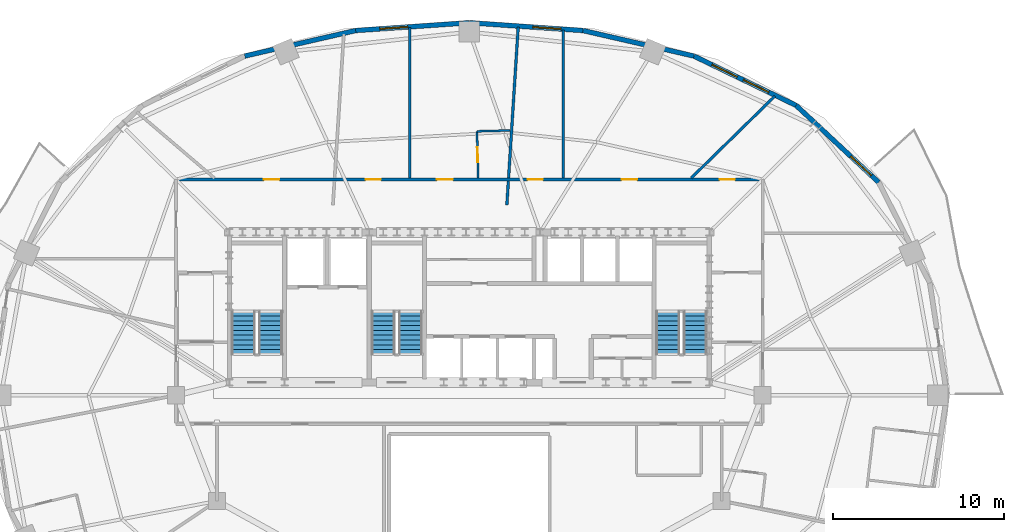
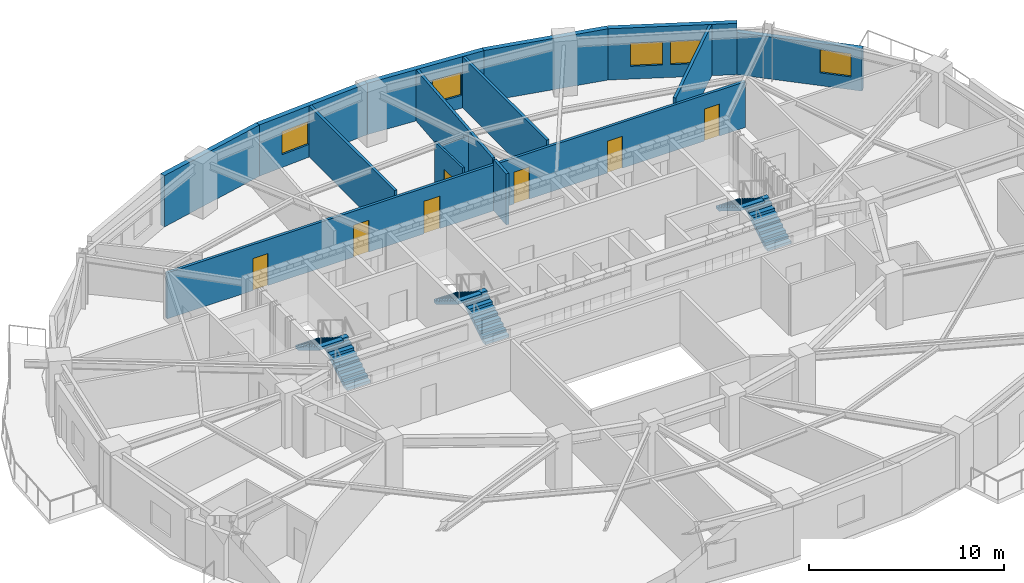
# One storey, part 7 of 10: 14 walls, 7 doors, 6 stair flights, 5 windows, 12 openings, 3 elements without a shape of their own.
"""IFC4 building model written with IfcOpenShell, lengths in metres."""

from ifc_helpers import new_model, si_unit, direction, frame, frame_2d, origin, place, context, subcontext, project, spatial, polyline, rectangle, outline, extrude, material, layer, layer_set, type_object, element, fill, aggregate, save


model = new_model("IFC4")

# Units and contexts
model_context = context("Model", 3, precision=1e-05, world=origin(), true_north=direction((0.0, 1.0)))
body_context = subcontext(model_context, "Body", "Model", "MODEL_VIEW")
ifc_project = project(units=[si_unit("LENGTHUNIT", "METRE"), si_unit("AREAUNIT", "SQUARE_METRE"), si_unit("VOLUMEUNIT", "CUBIC_METRE"), si_unit("PLANEANGLEUNIT", "RADIAN"), si_unit("MASSUNIT", "GRAM", prefix="KILO")], contexts=[model_context])

# Site, building, storey
site_placement = place(None, origin())
site = spatial("IfcSite", under=ifc_project, at=site_placement, CompositionType="ELEMENT")
building_placement = place(site_placement, origin())
building = spatial("IfcBuilding", under=site, at=building_placement, Name="Haldorwick Loom Tower", CompositionType="ELEMENT")
storey_placement = place(building_placement, frame((0.0, 0.0, 193.449951171875)))
storey = spatial("IfcBuildingStorey", under=building, at=storey_placement, Name="L52", CompositionType="ELEMENT", Elevation=193.449951171875)

# Wall, opening, window
ifc_material_1 = material(Name="Pressed Clay Face Brick and Insulated Masonry Backup Assembly", Category="masonry")
ifc_layer_1 = layer(ifc_material_1, 0.280029296875, Name="Pressed Clay Face Brick and Insulated Masonry Backup Assembly", Category="masonry")
ifc_layer_set_1 = layer_set([ifc_layer_1], Name="Pressed Clay Face Brick and Insulated Masonry Backup Assembly")
wall_type_1 = type_object("IfcWallType", Name="ARC-WL-EXT280", PredefinedType="STANDARD", material=ifc_layer_set_1)
wall_1_placement = place(storey_placement, frame((60.005615234375, 38.4853515625, 0.0), z_axis=(0.0, 0.0, 1.0), x_axis=(-0.731833707499, 0.681483253329, 0.0)))
wall_1 = element("IfcWall", 1, at=wall_1_placement, inside=storey, type_object=wall_type_1, Name="L52 Brick Pier and Spandrel Wall 3", PredefinedType="STANDARD", context=body_context, shape_type="SweptSolid", body=[
    extrude(rectangle(XDim=6.61865234375, YDim=0.280029296875, at=frame_2d((3.309326171875, 0.0))), origin(), (0.0, 0.0, 1.0), 2.64111328125),
])
opening_1_placement = place(wall_1_placement, frame((0.58154296875, 0.0, 0.800048828125)))
opening_1 = element("IfcOpeningElement", 2, at=opening_1_placement, cuts=wall_1, Name="Opening W-01B", PredefinedType="OPENING", context=body_context, shape_type="SweptSolid", body=[
    extrude(rectangle(XDim=1.64990234375, YDim=1.449951171875, at=frame_2d((0.824951171875, 0.72509765625))), frame((0.0, 0.14990234375, 0.0), z_axis=(0.0, -1.0, 0.0), x_axis=(1.0, 0.0, 0.0)), (0.0, 0.0, 1.0), 0.300048828125),
])
ifc_material_2 = material(Name="Triple-Glazed Low-E Argon Insulated Glazing Unit", Category="glass")
window_type = type_object("IfcWindowType", Name="ARC-WIN-W165", PartitioningType="SINGLE_PANEL", PredefinedType="WINDOW", material=ifc_material_2)
window_1_placement = place(opening_1_placement, origin())
window_1 = element("IfcWindow", 3, at=window_1_placement, inside=storey, type_object=window_type, Name="L52 Deep-Set Zone 7A Window 3", OverallHeight=1.449951171875, OverallWidth=1.64990234375, PartitioningType="SINGLE_PANEL", PredefinedType="WINDOW", context=body_context, shape_type="SweptSolid", body=[
    extrude(rectangle(XDim=1.64990234375, YDim=1.449951171875, at=frame_2d((0.824951171875, 0.72509765625))), frame((0.0, 0.030029296875, 0.0), z_axis=(0.0, -1.0, 0.0), x_axis=(1.0, 0.0, 0.0)), (0.0, 0.0, 1.0), 0.06005859375),
])
fill(opening_1, window_1)

# Wall, openings, windows
wall_2_placement = place(storey_placement, frame((55.161865234375, 42.995849609375, 0.0), z_axis=(0.0, 0.0, 1.0), x_axis=(-0.900371236029, 0.435122554381, 0.0)))
wall_2 = element("IfcWall", 4, at=wall_2_placement, inside=storey, type_object=wall_type_1, Name="L52 Brick Pier and Spandrel Wall 4", PredefinedType="STANDARD", context=body_context, shape_type="SweptSolid", body=[
    extrude(rectangle(XDim=6.6533203125, YDim=0.280029296875, at=frame_2d((3.32666015625, 0.0))), origin(), (0.0, 0.0, 1.0), 3.2099609375),
])
opening_2_placement = place(wall_2_placement, frame((1.781005859375, 0.0, 0.800048828125)))
opening_2 = element("IfcOpeningElement", 5, at=opening_2_placement, cuts=wall_2, Name="Opening W-01B", PredefinedType="OPENING", context=body_context, shape_type="SweptSolid", body=[
    extrude(rectangle(XDim=1.64990234375, YDim=1.449951171875, at=frame_2d((0.824951171875, 0.72509765625))), frame((0.0, 0.14990234375, 0.0), z_axis=(0.0, -1.0, 0.0), x_axis=(1.0, 0.0, 0.0)), (0.0, 0.0, 1.0), 0.300048828125),
])
opening_3_placement = place(wall_2_placement, frame((3.832275390625, 0.0, 0.800048828125)))
opening_3 = element("IfcOpeningElement", 6, at=opening_3_placement, cuts=wall_2, Name="Opening W-01B", PredefinedType="OPENING", context=body_context, shape_type="SweptSolid", body=[
    extrude(rectangle(XDim=1.64990234375, YDim=1.449951171875, at=frame_2d((0.824951171875, 0.72509765625))), frame((0.0, 0.14990234375, 0.0), z_axis=(0.0, -1.0, 0.0), x_axis=(1.0, 0.0, 0.0)), (0.0, 0.0, 1.0), 0.300048828125),
])
window_2_placement = place(opening_2_placement, origin())
window_2 = element("IfcWindow", 7, at=window_2_placement, inside=storey, type_object=window_type, Name="L52 Deep-Set Zone 7A Window 4", OverallHeight=1.449951171875, OverallWidth=1.64990234375, PartitioningType="SINGLE_PANEL", PredefinedType="WINDOW", context=body_context, shape_type="SweptSolid", body=[
    extrude(rectangle(XDim=1.64990234375, YDim=1.449951171875, at=frame_2d((0.824951171875, 0.72509765625))), frame((0.0, 0.030029296875, 0.0), z_axis=(0.0, -1.0, 0.0), x_axis=(1.0, 0.0, 0.0)), (0.0, 0.0, 1.0), 0.06005859375),
])
fill(opening_2, window_2)
window_3_placement = place(opening_3_placement, origin())
window_3 = element("IfcWindow", 8, at=window_3_placement, inside=storey, type_object=window_type, Name="L52 Deep-Set Zone 7A Window 4", OverallHeight=1.449951171875, OverallWidth=1.64990234375, PartitioningType="SINGLE_PANEL", PredefinedType="WINDOW", context=body_context, shape_type="SweptSolid", body=[
    extrude(rectangle(XDim=1.64990234375, YDim=1.449951171875, at=frame_2d((0.824951171875, 0.72509765625))), frame((0.0, 0.030029296875, 0.0), z_axis=(0.0, -1.0, 0.0), x_axis=(1.0, 0.0, 0.0)), (0.0, 0.0, 1.0), 0.06005859375),
])
fill(opening_3, window_3)

# Wall
wall_3_placement = place(storey_placement, frame((49.17138671875, 45.890869140625, 0.0), z_axis=(0.0, 0.0, 1.0), x_axis=(-0.974557343474, 0.224138315065, 0.0)))
element("IfcWall", 9, at=wall_3_placement, inside=storey, type_object=wall_type_1, Name="L52 Brick Pier and Spandrel Wall 5", PredefinedType="STANDARD", context=body_context, shape_type="SweptSolid", body=[
    extrude(rectangle(XDim=6.676025390625, YDim=0.280029296875, at=frame_2d((3.337890625, 0.0))), origin(), (0.0, 0.0, 1.0), 3.2099609375),
])

# Wall, opening, window
wall_4_placement = place(storey_placement, frame((42.665283203125, 47.38720703125, 0.0), z_axis=(0.0, 0.0, 1.0), x_axis=(-0.99764992135, 0.068517402386, 0.0)))
wall_4 = element("IfcWall", 10, at=wall_4_placement, inside=storey, type_object=wall_type_1, Name="L52 Brick Pier and Spandrel Wall 6", PredefinedType="STANDARD", context=body_context, shape_type="SweptSolid", body=[
    extrude(rectangle(XDim=6.680908203125, YDim=0.280029296875, at=frame_2d((3.34033203125, 0.0))), origin(), (0.0, 0.0, 1.0), 3.2099609375),
])
opening_4_placement = place(wall_4_placement, frame((1.293701171875, 0.0, 0.800048828125)))
opening_4 = element("IfcOpeningElement", 11, at=opening_4_placement, cuts=wall_4, Name="Opening W-01B", PredefinedType="OPENING", context=body_context, shape_type="SweptSolid", body=[
    extrude(rectangle(XDim=1.64990234375, YDim=1.449951171875, at=frame_2d((0.824951171875, 0.72509765625))), frame((0.0, 0.14990234375, 0.0), z_axis=(0.0, -1.0, 0.0), x_axis=(1.0, 0.0, 0.0)), (0.0, 0.0, 1.0), 0.300048828125),
])
window_4_placement = place(opening_4_placement, origin())
window_4 = element("IfcWindow", 12, at=window_4_placement, inside=storey, type_object=window_type, Name="L52 Deep-Set Zone 7A Window 6", OverallHeight=1.449951171875, OverallWidth=1.64990234375, PartitioningType="SINGLE_PANEL", PredefinedType="WINDOW", context=body_context, shape_type="SweptSolid", body=[
    extrude(rectangle(XDim=1.64990234375, YDim=1.449951171875, at=frame_2d((0.824951171875, 0.72509765625))), frame((0.0, 0.030029296875, 0.0), z_axis=(0.0, -1.0, 0.0), x_axis=(1.0, 0.0, 0.0)), (0.0, 0.0, 1.0), 0.06005859375),
])
fill(opening_4, window_4)

wall_5_placement = place(storey_placement, frame((36.0, 47.844970703125, 0.0), z_axis=(0.0, 0.0, 1.0), x_axis=(-0.99764992135, -0.068517402386, 0.0)))
wall_5 = element("IfcWall", 13, at=wall_5_placement, inside=storey, type_object=wall_type_1, Name="L52 Brick Pier and Spandrel Wall 7", PredefinedType="STANDARD", context=body_context, shape_type="SweptSolid", body=[
    extrude(rectangle(XDim=6.680908203125, YDim=0.280029296875, at=frame_2d((3.34033203125, 0.0))), origin(), (0.0, 0.0, 1.0), 3.2099609375),
])
opening_5_placement = place(wall_5_placement, frame((3.6181640625, 0.0, 0.800048828125)))
opening_5 = element("IfcOpeningElement", 14, at=opening_5_placement, cuts=wall_5, Name="Opening W-01B", PredefinedType="OPENING", context=body_context, shape_type="SweptSolid", body=[
    extrude(rectangle(XDim=1.64990234375, YDim=1.449951171875, at=frame_2d((0.824951171875, 0.72509765625))), frame((0.0, 0.14990234375, 0.0), z_axis=(0.0, -1.0, 0.0), x_axis=(1.0, 0.0, 0.0)), (0.0, 0.0, 1.0), 0.300048828125),
])
window_5_placement = place(opening_5_placement, origin())
window_5 = element("IfcWindow", 15, at=window_5_placement, inside=storey, type_object=window_type, Name="L52 Deep-Set Zone 7A Window 7", OverallHeight=1.449951171875, OverallWidth=1.64990234375, PartitioningType="SINGLE_PANEL", PredefinedType="WINDOW", context=body_context, shape_type="SweptSolid", body=[
    extrude(rectangle(XDim=1.64990234375, YDim=1.449951171875, at=frame_2d((0.824951171875, 0.72509765625))), frame((0.0, 0.030029296875, 0.0), z_axis=(0.0, -1.0, 0.0), x_axis=(1.0, 0.0, 0.0)), (0.0, 0.0, 1.0), 0.06005859375),
])
fill(opening_5, window_5)

# Wall
wall_6_placement = place(storey_placement, frame((29.334716796875, 47.38720703125, 0.0), z_axis=(0.0, 0.0, 1.0), x_axis=(-0.974557343474, -0.224138315065, 0.0)))
element("IfcWall", 16, at=wall_6_placement, inside=storey, type_object=wall_type_1, Name="L52 Brick Pier and Spandrel Wall 8", PredefinedType="STANDARD", context=body_context, shape_type="SweptSolid", body=[
    extrude(rectangle(XDim=6.676025390625, YDim=0.280029296875, at=frame_2d((3.337890625, 0.0))), origin(), (0.0, 0.0, 1.0), 3.2099609375),
])

# Wall, openings, doors
ifc_material_3 = material(Name="Fire-Rated Type X Gypsum Stud Assembly EI 60")
ifc_layer_2 = layer(ifc_material_3, 0.159912109375, Name="Fire-Rated Type X Gypsum Stud Assembly EI 60")
ifc_layer_set_2 = layer_set([ifc_layer_2], Name="Fire-Rated Type X Gypsum Stud Assembly EI 60")
wall_type_2 = type_object("IfcWallType", Name="ARC-WL-FIRE160", PredefinedType="PARTITIONING", material=ifc_layer_set_2)
wall_7_placement = place(storey_placement, frame((18.883056640625, 38.64990234375, 0.0), z_axis=(0.0, 0.0, 1.0), x_axis=(1.0, 0.0, 0.0)))
wall_7 = element("IfcWall", 17, at=wall_7_placement, inside=storey, type_object=wall_type_2, Name="L52 Residential Fire Partition L52-CR-N0", PredefinedType="PARTITIONING", context=body_context, shape_type="SweptSolid", body=[
    extrude(rectangle(XDim=34.23388671875, YDim=0.159912109375, at=frame_2d((17.116943359375, 0.0))), origin(), (0.0, 0.0, 1.0), 2.8720703125),
])
opening_6_placement = place(wall_7_placement, frame((26.0537109375, 0.0, 0.0)))
opening_6 = element("IfcOpeningElement", 18, at=opening_6_placement, cuts=wall_7, Name="Opening D-FD60A", PredefinedType="OPENING", context=body_context, shape_type="SweptSolid", body=[
    extrude(rectangle(XDim=0.89990234375, YDim=2.0, at=frame_2d((0.449951171875, 1.0))), frame((0.0, 0.08984375, 0.0), z_axis=(0.0, -1.0, 0.0), x_axis=(1.0, 0.0, 0.0)), (0.0, 0.0, 1.0), 0.179931640625),
])
opening_7_placement = place(wall_7_placement, frame((5.071533203125, 0.0, 0.0)))
opening_7 = element("IfcOpeningElement", 19, at=opening_7_placement, cuts=wall_7, Name="Opening D-FD60A", PredefinedType="OPENING", context=body_context, shape_type="SweptSolid", body=[
    extrude(rectangle(XDim=0.89990234375, YDim=2.0, at=frame_2d((0.449951171875, 1.0))), frame((0.0, 0.08984375, 0.0), z_axis=(0.0, -1.0, 0.0), x_axis=(1.0, 0.0, 0.0)), (0.0, 0.0, 1.0), 0.179931640625),
])
opening_8_placement = place(wall_7_placement, frame((11.034912109375, 0.0, 0.0)))
opening_8 = element("IfcOpeningElement", 20, at=opening_8_placement, cuts=wall_7, Name="Opening D-FD60A", PredefinedType="OPENING", context=body_context, shape_type="SweptSolid", body=[
    extrude(rectangle(XDim=0.89990234375, YDim=2.0, at=frame_2d((0.449951171875, 1.0))), frame((0.0, 0.08984375, 0.0), z_axis=(0.0, -1.0, 0.0), x_axis=(1.0, 0.0, 0.0)), (0.0, 0.0, 1.0), 0.179931640625),
])
opening_9_placement = place(wall_7_placement, frame((15.206298828125, 0.0, 0.0)))
opening_9 = element("IfcOpeningElement", 21, at=opening_9_placement, cuts=wall_7, Name="Opening D-FL95", PredefinedType="OPENING", context=body_context, shape_type="SweptSolid", body=[
    extrude(rectangle(XDim=0.949951171875, YDim=2.0400390625, at=frame_2d((0.47509765625, 1.02001953125))), frame((0.0, 0.08984375, 0.0), z_axis=(0.0, -1.0, 0.0), x_axis=(1.0, 0.0, 0.0)), (0.0, 0.0, 1.0), 0.179931640625),
])
opening_10_placement = place(wall_7_placement, frame((31.796142578125, 0.0, 0.0)))
opening_10 = element("IfcOpeningElement", 22, at=opening_10_placement, cuts=wall_7, Name="Opening D-FD60A", PredefinedType="OPENING", context=body_context, shape_type="SweptSolid", body=[
    extrude(rectangle(XDim=0.89990234375, YDim=2.0, at=frame_2d((0.449951171875, 1.0))), frame((0.0, 0.08984375, 0.0), z_axis=(0.0, -1.0, 0.0), x_axis=(1.0, 0.0, 0.0)), (0.0, 0.0, 1.0), 0.179931640625),
])
opening_11_placement = place(wall_7_placement, frame((20.531982421875, 0.0, 0.0)))
opening_11 = element("IfcOpeningElement", 23, at=opening_11_placement, cuts=wall_7, Name="Opening D-FD60A", PredefinedType="OPENING", context=body_context, shape_type="SweptSolid", body=[
    extrude(rectangle(XDim=0.89990234375, YDim=2.0, at=frame_2d((0.449951171875, 1.0))), frame((0.0, 0.08984375, 0.0), z_axis=(0.0, -1.0, 0.0), x_axis=(1.0, 0.0, 0.0)), (0.0, 0.0, 1.0), 0.179931640625),
])
ifc_material_4 = material(Name="Hollow Steel Fire Door Assembly", Category="steel")
door_type_1 = type_object("IfcDoorType", Name="ARC-DR-FD60-90", OperationType="NOTDEFINED", PredefinedType="DOOR", material=ifc_material_4)
door_1_placement = place(opening_6_placement, frame((0.89990234375, 0.0, 0.0), z_axis=(0.0, 0.0, 1.0), x_axis=(-1.0, 0.0, 0.0)))
door_1 = element("IfcDoor", 24, at=door_1_placement, inside=storey, type_object=door_type_1, Name="L52 Community Teaching Classroom 7 to L52 North Residential Corridor Doo", OperationType="SINGLE_SWING_LEFT", OverallHeight=2.0, OverallWidth=0.89990234375, PredefinedType="DOOR", context=body_context, shape_type="SweptSolid", body=[
    extrude(rectangle(XDim=0.89990234375, YDim=2.0, at=frame_2d((0.449951171875, 1.0))), frame((0.0, 0.02490234375, 0.0), z_axis=(0.0, -1.0, 0.0), x_axis=(1.0, 0.0, 0.0)), (0.0, 0.0, 1.0), 0.050048828125),
])
fill(opening_6, door_1)
door_2_placement = place(opening_7_placement, frame((0.89990234375, 0.0, 0.0), z_axis=(0.0, 0.0, 1.0), x_axis=(-1.0, 0.0, 0.0)))
door_2 = element("IfcDoor", 25, at=door_2_placement, inside=storey, type_object=door_type_1, Name="L52 Community Teaching Classroom 5 to L52 North Residential Corridor Doo", OperationType="SINGLE_SWING_RIGHT", OverallHeight=2.0, OverallWidth=0.89990234375, PredefinedType="DOOR", context=body_context, shape_type="SweptSolid", body=[
    extrude(rectangle(XDim=0.89990234375, YDim=2.0, at=frame_2d((0.449951171875, 1.0))), frame((0.0, 0.02490234375, 0.0), z_axis=(0.0, -1.0, 0.0), x_axis=(1.0, 0.0, 0.0)), (0.0, 0.0, 1.0), 0.050048828125),
])
fill(opening_7, door_2)
door_3_placement = place(opening_8_placement, frame((0.89990234375, 0.0, 0.0), z_axis=(0.0, 0.0, 1.0), x_axis=(-1.0, 0.0, 0.0)))
door_3 = element("IfcDoor", 26, at=door_3_placement, inside=storey, type_object=door_type_1, Name="L52 Shared Tea Pantry 12 to L52 North Residential Corridor Door", OperationType="SINGLE_SWING_RIGHT", OverallHeight=2.0, OverallWidth=0.89990234375, PredefinedType="DOOR", context=body_context, shape_type="SweptSolid", body=[
    extrude(rectangle(XDim=0.89990234375, YDim=2.0, at=frame_2d((0.449951171875, 1.0))), frame((0.0, 0.02490234375, 0.0), z_axis=(0.0, -1.0, 0.0), x_axis=(1.0, 0.0, 0.0)), (0.0, 0.0, 1.0), 0.050048828125),
])
fill(opening_8, door_3)
door_4_placement = place(opening_10_placement, frame((0.89990234375, 0.0, 0.0), z_axis=(0.0, 0.0, 1.0), x_axis=(-1.0, 0.0, 0.0)))
door_4 = element("IfcDoor", 27, at=door_4_placement, inside=storey, type_object=door_type_1, Name="L52 Community Teaching Classroom 6 to L52 North Residential Corridor Doo", OperationType="SINGLE_SWING_RIGHT", OverallHeight=2.0, OverallWidth=0.89990234375, PredefinedType="DOOR", context=body_context, shape_type="SweptSolid", body=[
    extrude(rectangle(XDim=0.89990234375, YDim=2.0, at=frame_2d((0.449951171875, 1.0))), frame((0.0, 0.02490234375, 0.0), z_axis=(0.0, -1.0, 0.0), x_axis=(1.0, 0.0, 0.0)), (0.0, 0.0, 1.0), 0.050048828125),
])
fill(opening_10, door_4)
door_5_placement = place(opening_11_placement, frame((0.89990234375, 0.0, 0.0), z_axis=(0.0, 0.0, 1.0), x_axis=(-1.0, 0.0, 0.0)))
door_5 = element("IfcDoor", 28, at=door_5_placement, inside=storey, type_object=door_type_1, Name="L52 Remote Work Office 13 to L52 North Residential Corridor Door", OperationType="SINGLE_SWING_RIGHT", OverallHeight=2.0, OverallWidth=0.89990234375, PredefinedType="DOOR", context=body_context, shape_type="SweptSolid", body=[
    extrude(rectangle(XDim=0.89990234375, YDim=2.0, at=frame_2d((0.449951171875, 1.0))), frame((0.0, 0.02490234375, 0.0), z_axis=(0.0, -1.0, 0.0), x_axis=(1.0, 0.0, 0.0)), (0.0, 0.0, 1.0), 0.050048828125),
])
fill(opening_11, door_5)
ifc_material_5 = material(Name="Solid Core Birch Architectural Door")
door_type_2 = type_object("IfcDoorType", Name="ARC-DR-FLAT95", OperationType="NOTDEFINED", PredefinedType="DOOR", material=ifc_material_5)
door_6_placement = place(opening_9_placement, frame((0.949951171875, 0.0, 0.0), z_axis=(0.0, 0.0, 1.0), x_axis=(-1.0, 0.0, 0.0)))
door_6 = element("IfcDoor", 29, at=door_6_placement, inside=storey, type_object=door_type_2, Name="L52 Unit 52H Kitchen and Studio Living Room to L52 North Residential Cor", OperationType="SINGLE_SWING_LEFT", OverallHeight=2.0400390625, OverallWidth=0.949951171875, PredefinedType="DOOR", context=body_context, shape_type="SweptSolid", body=[
    extrude(rectangle(XDim=0.949951171875, YDim=2.0400390625, at=frame_2d((0.47509765625, 1.02001953125))), frame((0.0, 0.02490234375, 0.0), z_axis=(0.0, -1.0, 0.0), x_axis=(1.0, 0.0, 0.0)), (0.0, 0.0, 1.0), 0.050048828125),
])
fill(opening_9, door_6)

# Walls
wall_8_placement = place(storey_placement, frame((32.5, 38.73291015625, 0.0), z_axis=(0.0, 0.0, 1.0), x_axis=(0.0, 1.0, 0.0)))
element("IfcWall", 30, at=wall_8_placement, inside=storey, type_object=wall_type_2, Name="L52 Residential Fire Partition L52-NBP-0", PredefinedType="PARTITIONING", context=body_context, shape_type="SweptSolid", body=[
    extrude(rectangle(XDim=8.82666015625, YDim=0.159912109375, at=frame_2d((4.413330078125, 0.0))), origin(), (0.0, 0.0, 1.0), 3.195068359375),
])
wall_9_placement = place(storey_placement, frame((41.5, 38.73291015625, 0.0), z_axis=(0.0, 0.0, 1.0), x_axis=(0.0, 1.0, 0.0)))
element("IfcWall", 31, at=wall_9_placement, inside=storey, type_object=wall_type_2, Name="L52 Residential Fire Partition L52-NBP-1", PredefinedType="PARTITIONING", context=body_context, shape_type="SweptSolid", body=[
    extrude(rectangle(XDim=8.689208984375, YDim=0.159912109375, at=frame_2d((4.3447265625, 0.0))), origin(), (0.0, 0.0, 1.0), 3.195068359375),
])
wall_10_placement = place(storey_placement, frame((38.199951171875, 37.14990234375, 0.0), z_axis=(0.0, 0.0, 1.0), x_axis=(0.063619995276, 0.99797419616, 0.0)))
element("IfcWall", 32, at=wall_10_placement, inside=storey, type_object=wall_type_2, Name="L52 Residential Fire Partition L52-UPN-13", PredefinedType="PARTITIONING", context=body_context, shape_type="SweptSolid", body=[
    extrude(rectangle(XDim=1.419921875, YDim=0.159912109375, at=frame_2d((0.7099609375, 0.0))), origin(), (0.0, 0.0, 1.0), 3.195068359375),
])
wall_11_placement = place(storey_placement, frame((38.30078125, 38.73291015625, 0.0), z_axis=(0.0, 0.0, 1.0), x_axis=(0.063616337617, 0.997974429326, 0.0)))
element("IfcWall", 33, at=wall_11_placement, inside=storey, type_object=wall_type_2, Name="L52 Residential Fire Partition L52-UPN-13", PredefinedType="PARTITIONING", context=body_context, shape_type="SweptSolid", body=[
    extrude(rectangle(XDim=8.88818359375, YDim=0.159912109375, at=frame_2d((4.444091796875, 0.0))), origin(), (0.0, 0.0, 1.0), 3.195068359375),
])
wall_12_placement = place(storey_placement, frame((49.007080078125, 38.73291015625, 0.0), z_axis=(0.0, 0.0, 1.0), x_axis=(0.714590999757, 0.69954249554, 0.0)))
element("IfcWall", 34, at=wall_12_placement, inside=storey, type_object=wall_type_2, Name="L52 Suite Split Wall", PredefinedType="PARTITIONING", context=body_context, shape_type="SweptSolid", body=[
    extrude(rectangle(XDim=6.87890625, YDim=0.159912109375, at=frame_2d((3.439453125, 0.0))), origin(), (0.0, 0.0, 1.0), 3.195068359375),
])
ifc_material_6 = material(Name="Acoustic Gypsum Stud Assembly STC 55")
ifc_layer_3 = layer(ifc_material_6, 0.1201171875, Name="Acoustic Gypsum Stud Assembly STC 55")
ifc_layer_set_3 = layer_set([ifc_layer_3], Name="Acoustic Gypsum Stud Assembly STC 55")
wall_type_3 = type_object("IfcWallType", Name="ARC-WL-PART120", PredefinedType="PARTITIONING", material=ifc_layer_set_3)
wall_13_placement = place(storey_placement, frame((38.395751953125, 41.526611328125, 0.0), z_axis=(0.0, 0.0, 1.0), x_axis=(-0.999656690025, -0.026201184878, 0.0)))
element("IfcWall", 35, at=wall_13_placement, inside=storey, type_object=wall_type_3, Name="L52 Unit 52H Interior Partition", PredefinedType="PARTITIONING", context=body_context, shape_type="SweptSolid", body=[
    extrude(rectangle(XDim=1.947509765625, YDim=0.1201171875, at=frame_2d((0.9736328125, 0.0))), origin(), (0.0, 0.0, 1.0), 2.8720703125),
])

# Wall, opening, door
wall_14_placement = place(storey_placement, frame((36.520751953125, 38.73291015625, 0.0), z_axis=(0.0, 0.0, 1.0), x_axis=(-0.026161596199, 0.999657726867, 0.0)))
wall_14 = element("IfcWall", 36, at=wall_14_placement, inside=storey, type_object=wall_type_3, Name="L52 Unit 52H Interior Partition", PredefinedType="PARTITIONING", context=body_context, shape_type="SweptSolid", body=[
    extrude(rectangle(XDim=2.74365234375, YDim=0.1201171875, at=frame_2d((1.371826171875, 0.0))), origin(), (0.0, 0.0, 1.0), 3.195068359375),
])
opening_12_placement = place(wall_14_placement, frame((0.931884765625, 0.0, 0.0)))
opening_12 = element("IfcOpeningElement", 37, at=opening_12_placement, cuts=wall_14, Name="Opening D-BT88", PredefinedType="OPENING", context=body_context, shape_type="SweptSolid", body=[
    extrude(rectangle(XDim=0.8798828125, YDim=2.02001953125, at=frame_2d((0.43994140625, 1.010009765625))), frame((0.0, 0.070068359375, 0.0), z_axis=(0.0, -1.0, 0.0), x_axis=(1.0, 0.0, 0.0)), (0.0, 0.0, 1.0), 0.14013671875),
])
door_type_3 = type_object("IfcDoorType", Name="ARC-DR-BATH88", OperationType="NOTDEFINED", PredefinedType="DOOR", material=ifc_material_5)
door_7_placement = place(opening_12_placement, origin())
door_7 = element("IfcDoor", 38, at=door_7_placement, inside=storey, type_object=door_type_3, Name="L52 Unit 52H Kitchen and Studio Living Room to Unit 52H Bathroom Door", OperationType="SINGLE_SWING_RIGHT", OverallHeight=2.02001953125, OverallWidth=0.8798828125, PredefinedType="DOOR", context=body_context, shape_type="SweptSolid", body=[
    extrude(rectangle(XDim=0.8798828125, YDim=2.02001953125, at=frame_2d((0.43994140625, 1.010009765625))), frame((0.0, 0.02490234375, 0.0), z_axis=(0.0, -1.0, 0.0), x_axis=(1.0, 0.0, 0.0)), (0.0, 0.0, 1.0), 0.050048828125),
])
fill(opening_12, door_7)

# Stair, stair flights
ifc_material_7 = material(Name="Concrete C40 (40 MPa)", Category="concrete")
stair_type = type_object("IfcStairType", Name="STR-STR-CORE", PredefinedType="HALF_TURN_STAIR", material=ifc_material_7)
stair_1_placement = place(storey_placement, origin())
stair_1 = element("IfcStair", 39, at=stair_1_placement, inside=storey, type_object=stair_type, Name="L52 Exit Stair ST-01", PredefinedType="HALF_TURN_STAIR")
stair_flight_type = type_object("IfcStairFlightType", Name="STR-STF-1250", PredefinedType="STRAIGHT", material=ifc_material_7)
stair_flight_1_placement = place(storey_placement, frame((24.35009765625, 28.39990234375, 0.0), z_axis=(0.0, 0.0, 1.0), x_axis=(0.0, 1.0, 0.0)))
stair_flight_1 = element("IfcStairFlight", 40, at=stair_flight_1_placement, type_object=stair_flight_type, Name="ST-01 flight 1", NumberOfRisers=10, NumberOfTreads=9, PredefinedType="STRAIGHT", RiserHeight=0.1725, TreadLength=0.28, context=body_context, shape_type="SweptSolid", body=[
    extrude(outline(polyline([(0.0, 0.0), (0.0, 0.172607421875), (0.280029296875, 0.172607421875), (0.280029296875, 0.344970703125), (0.56005859375, 0.344970703125), (0.56005859375, 0.517578125), (0.840087890625, 0.517578125), (0.840087890625, 0.68994140625), (1.1201171875, 0.68994140625), (1.1201171875, 0.862548828125), (1.39990234375, 0.862548828125), (1.39990234375, 1.034912109375), (1.679931640625, 1.034912109375), (1.679931640625, 1.20751953125), (1.9599609375, 1.20751953125), (1.9599609375, 1.3798828125), (2.239990234375, 1.3798828125), (2.239990234375, 1.552490234375), (2.52001953125, 1.552490234375), (2.52001953125, 1.72509765625), (2.52001953125, 1.37646484375), (0.285888671875, 0.0), (0.0, 0.0)])), frame((0.0, 0.699951171875, 0.0), z_axis=(0.0, -1.0, 0.0), x_axis=(1.0, 0.0, 0.0)), (0.0, 0.0, 1.0), 1.39990234375),
])
stair_flight_2_placement = place(storey_placement, frame((22.75, 30.919921875, 1.72509765625), z_axis=(0.0, 0.0, 1.0), x_axis=(0.0, -1.0, 0.0)))
stair_flight_2 = element("IfcStairFlight", 41, at=stair_flight_2_placement, type_object=stair_flight_type, Name="ST-01 flight 2", NumberOfRisers=10, NumberOfTreads=9, PredefinedType="STRAIGHT", RiserHeight=0.1725, TreadLength=0.28, context=body_context, shape_type="SweptSolid", body=[
    extrude(outline(polyline([(0.0, 0.0), (0.0, 0.172607421875), (0.280029296875, 0.172607421875), (0.280029296875, 0.344970703125), (0.56005859375, 0.344970703125), (0.56005859375, 0.517578125), (0.840087890625, 0.517578125), (0.840087890625, 0.68994140625), (1.1201171875, 0.68994140625), (1.1201171875, 0.862548828125), (1.39990234375, 0.862548828125), (1.39990234375, 1.034912109375), (1.679931640625, 1.034912109375), (1.679931640625, 1.20751953125), (1.9599609375, 1.20751953125), (1.9599609375, 1.3798828125), (2.239990234375, 1.3798828125), (2.239990234375, 1.552490234375), (2.52001953125, 1.552490234375), (2.52001953125, 1.72509765625), (2.52001953125, 1.37646484375), (0.285888671875, 0.0), (0.0, 0.0)])), frame((0.0, 0.699951171875, 0.0), z_axis=(0.0, -1.0, 0.0), x_axis=(1.0, 0.0, 0.0)), (0.0, 0.0, 1.0), 1.39990234375),
])
aggregate(stair_1, [stair_flight_1, stair_flight_2])

stair_2_placement = place(storey_placement, origin())
stair_2 = element("IfcStair", 42, at=stair_2_placement, inside=storey, type_object=stair_type, Name="L52 Exit Stair ST-02", PredefinedType="HALF_TURN_STAIR")
stair_flight_3_placement = place(storey_placement, frame((49.25, 28.39990234375, 0.0), z_axis=(0.0, 0.0, 1.0), x_axis=(0.0, 1.0, 0.0)))
stair_flight_3 = element("IfcStairFlight", 43, at=stair_flight_3_placement, type_object=stair_flight_type, Name="ST-02 flight 1", NumberOfRisers=10, NumberOfTreads=9, PredefinedType="STRAIGHT", RiserHeight=0.1725, TreadLength=0.28, context=body_context, shape_type="SweptSolid", body=[
    extrude(outline(polyline([(0.0, 0.0), (0.0, 0.172607421875), (0.280029296875, 0.172607421875), (0.280029296875, 0.344970703125), (0.56005859375, 0.344970703125), (0.56005859375, 0.517578125), (0.840087890625, 0.517578125), (0.840087890625, 0.68994140625), (1.1201171875, 0.68994140625), (1.1201171875, 0.862548828125), (1.39990234375, 0.862548828125), (1.39990234375, 1.034912109375), (1.679931640625, 1.034912109375), (1.679931640625, 1.20751953125), (1.9599609375, 1.20751953125), (1.9599609375, 1.3798828125), (2.239990234375, 1.3798828125), (2.239990234375, 1.552490234375), (2.52001953125, 1.552490234375), (2.52001953125, 1.72509765625), (2.52001953125, 1.37646484375), (0.285888671875, 0.0), (0.0, 0.0)])), frame((0.0, 0.699951171875, 0.0), z_axis=(0.0, -1.0, 0.0), x_axis=(1.0, 0.0, 0.0)), (0.0, 0.0, 1.0), 1.39990234375),
])
stair_flight_4_placement = place(storey_placement, frame((47.64990234375, 30.919921875, 1.72509765625), z_axis=(0.0, 0.0, 1.0), x_axis=(0.0, -1.0, 0.0)))
stair_flight_4 = element("IfcStairFlight", 44, at=stair_flight_4_placement, type_object=stair_flight_type, Name="ST-02 flight 2", NumberOfRisers=10, NumberOfTreads=9, PredefinedType="STRAIGHT", RiserHeight=0.1725, TreadLength=0.28, context=body_context, shape_type="SweptSolid", body=[
    extrude(outline(polyline([(0.0, 0.0), (0.0, 0.172607421875), (0.280029296875, 0.172607421875), (0.280029296875, 0.344970703125), (0.56005859375, 0.344970703125), (0.56005859375, 0.517578125), (0.840087890625, 0.517578125), (0.840087890625, 0.68994140625), (1.1201171875, 0.68994140625), (1.1201171875, 0.862548828125), (1.39990234375, 0.862548828125), (1.39990234375, 1.034912109375), (1.679931640625, 1.034912109375), (1.679931640625, 1.20751953125), (1.9599609375, 1.20751953125), (1.9599609375, 1.3798828125), (2.239990234375, 1.3798828125), (2.239990234375, 1.552490234375), (2.52001953125, 1.552490234375), (2.52001953125, 1.72509765625), (2.52001953125, 1.37646484375), (0.285888671875, 0.0), (0.0, 0.0)])), frame((0.0, 0.699951171875, 0.0), z_axis=(0.0, -1.0, 0.0), x_axis=(1.0, 0.0, 0.0)), (0.0, 0.0, 1.0), 1.39990234375),
])
aggregate(stair_2, [stair_flight_3, stair_flight_4])

stair_3_placement = place(storey_placement, origin())
stair_3 = element("IfcStair", 45, at=stair_3_placement, inside=storey, type_object=stair_type, Name="L52 Exit Stair ST-03", PredefinedType="HALF_TURN_STAIR")
stair_flight_5_placement = place(storey_placement, frame((32.550048828125, 28.39990234375, 0.0), z_axis=(0.0, 0.0, 1.0), x_axis=(0.0, 1.0, 0.0)))
stair_flight_5 = element("IfcStairFlight", 46, at=stair_flight_5_placement, type_object=stair_flight_type, Name="ST-03 flight 1", NumberOfRisers=10, NumberOfTreads=9, PredefinedType="STRAIGHT", RiserHeight=0.1725, TreadLength=0.28, context=body_context, shape_type="SweptSolid", body=[
    extrude(outline(polyline([(0.0, 0.0), (0.0, 0.172607421875), (0.280029296875, 0.172607421875), (0.280029296875, 0.344970703125), (0.56005859375, 0.344970703125), (0.56005859375, 0.517578125), (0.840087890625, 0.517578125), (0.840087890625, 0.68994140625), (1.1201171875, 0.68994140625), (1.1201171875, 0.862548828125), (1.39990234375, 0.862548828125), (1.39990234375, 1.034912109375), (1.679931640625, 1.034912109375), (1.679931640625, 1.20751953125), (1.9599609375, 1.20751953125), (1.9599609375, 1.3798828125), (2.239990234375, 1.3798828125), (2.239990234375, 1.552490234375), (2.52001953125, 1.552490234375), (2.52001953125, 1.72509765625), (2.52001953125, 1.37646484375), (0.285888671875, 0.0), (0.0, 0.0)])), frame((0.0, 0.699951171875, 0.0), z_axis=(0.0, -1.0, 0.0), x_axis=(1.0, 0.0, 0.0)), (0.0, 0.0, 1.0), 1.39990234375),
])
stair_flight_6_placement = place(storey_placement, frame((30.949951171875, 30.919921875, 1.72509765625), z_axis=(0.0, 0.0, 1.0), x_axis=(0.0, -1.0, 0.0)))
stair_flight_6 = element("IfcStairFlight", 47, at=stair_flight_6_placement, type_object=stair_flight_type, Name="ST-03 flight 2", NumberOfRisers=10, NumberOfTreads=9, PredefinedType="STRAIGHT", RiserHeight=0.1725, TreadLength=0.28, context=body_context, shape_type="SweptSolid", body=[
    extrude(outline(polyline([(0.0, 0.0), (0.0, 0.172607421875), (0.280029296875, 0.172607421875), (0.280029296875, 0.344970703125), (0.56005859375, 0.344970703125), (0.56005859375, 0.517578125), (0.840087890625, 0.517578125), (0.840087890625, 0.68994140625), (1.1201171875, 0.68994140625), (1.1201171875, 0.862548828125), (1.39990234375, 0.862548828125), (1.39990234375, 1.034912109375), (1.679931640625, 1.034912109375), (1.679931640625, 1.20751953125), (1.9599609375, 1.20751953125), (1.9599609375, 1.3798828125), (2.239990234375, 1.3798828125), (2.239990234375, 1.552490234375), (2.52001953125, 1.552490234375), (2.52001953125, 1.72509765625), (2.52001953125, 1.37646484375), (0.285888671875, 0.0), (0.0, 0.0)])), frame((0.0, 0.699951171875, 0.0), z_axis=(0.0, -1.0, 0.0), x_axis=(1.0, 0.0, 0.0)), (0.0, 0.0, 1.0), 1.39990234375),
])
aggregate(stair_3, [stair_flight_5, stair_flight_6])

save(model, "model.ifc")
